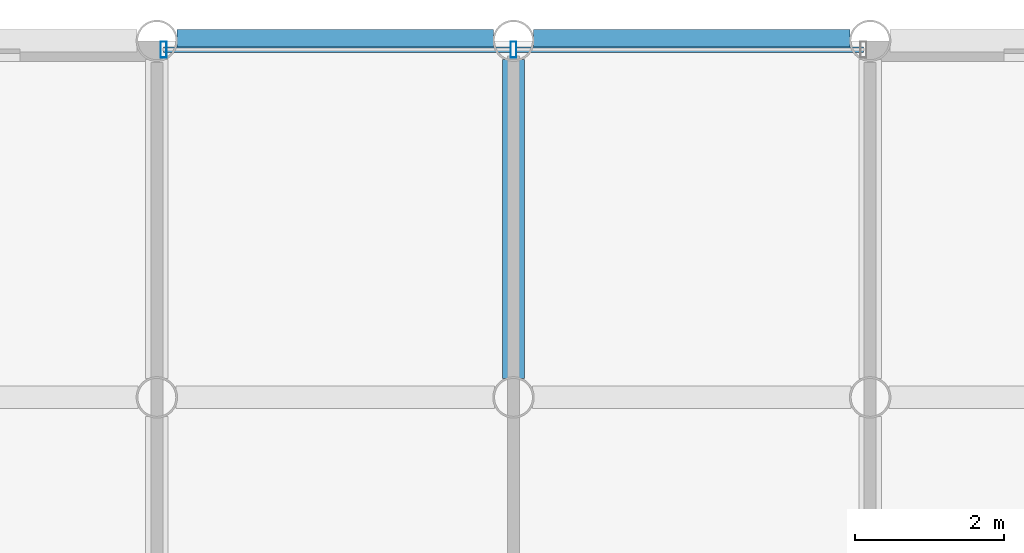
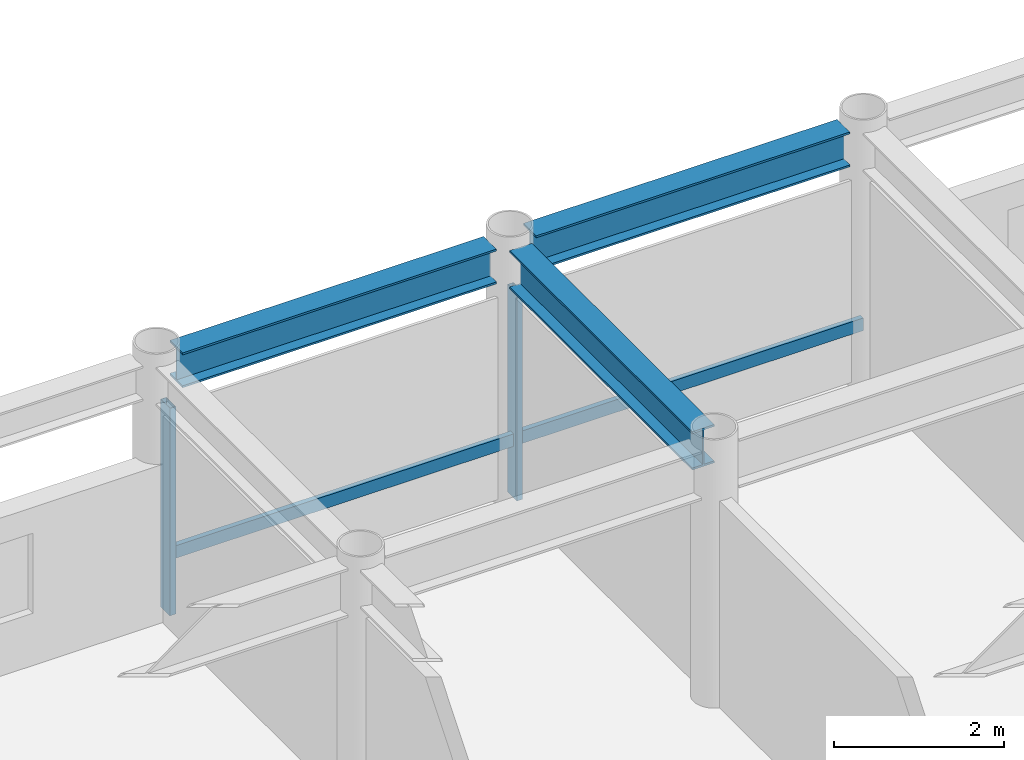
# One storey, part 14 of 24: 4 members, 3 beams, 1 element without a shape of its own.
"""IFC4 building model written with IfcOpenShell, lengths in metres."""

from ifc_helpers import new_model, si_unit, direction, frame, origin, origin_2d, place, context, subcontext, project, spatial, hollow_rectangle, i_section, extrude, material, layer, layer_set, material_profile, profile_set, type_object, element, aggregate, save


model = new_model("IFC4")

# Units and contexts
model_context = context("Model", 3, precision=1e-05, world=origin(), true_north=direction((0.0, 1.0)))
body_context = subcontext(model_context, "Body", "Model", "MODEL_VIEW")
ifc_project = project(units=[si_unit("LENGTHUNIT", "METRE"), si_unit("AREAUNIT", "SQUARE_METRE"), si_unit("VOLUMEUNIT", "CUBIC_METRE"), si_unit("PLANEANGLEUNIT", "RADIAN"), si_unit("MASSUNIT", "GRAM", prefix="KILO")], contexts=[model_context])

# Site, building, storey
site_placement = place(None, origin())
site = spatial("IfcSite", under=ifc_project, at=site_placement, CompositionType="ELEMENT")
building_placement = place(site_placement, origin())
building = spatial("IfcBuilding", under=site, at=building_placement, Name="Kallvorn Hotel Tower", CompositionType="ELEMENT")
storey_placement = place(building_placement, frame((0.0, 0.0, 233.85009765625)))
storey = spatial("IfcBuildingStorey", under=building, at=storey_placement, Name="L58", CompositionType="ELEMENT", Elevation=233.85009765625)

# Beams
ifc_material_1 = material(Name="Structural steel S355JR", Category="steel")
ifc_material_profile_1 = material_profile(ifc_material_1, i_section(OverallWidth=0.300048828125, OverallDepth=0.5, WebThickness=0.014404296875, FlangeThickness=0.028076171875, at=origin_2d()), Name="HE 500 B")
ifc_profile_set_1 = profile_set([ifc_material_profile_1], Name="Structural steel S355JR")
beam_type_1 = type_object("IfcBeamType", Name="BM_HE500B", PredefinedType="SPANDREL", material=ifc_profile_set_1)
for number, where, z_axis, x_axis, name in (
    (1, (-4.530517578125, 24.0, 3.419921875), (1.0, 0.0, 0.0), (0.0, 1.0, 0.0), "L59 Perimeter Spandrel 167"),
    (2, (0.26953125, 24.0, 3.419921875), (1.0, 0.0, 0.0), (0.0, 1.0, 0.0), "L59 Perimeter Spandrel 168"),
):
    element("IfcBeam", number, at=place(storey_placement, frame(where, z_axis=z_axis, x_axis=x_axis)), inside=storey, type_object=beam_type_1, Name=name, PredefinedType="SPANDREL", context=body_context, shape_type="SweptSolid", body=[
        extrude(i_section(OverallWidth=0.300048828125, OverallDepth=0.5, WebThickness=0.014404296875, FlangeThickness=0.028076171875, at=origin_2d()), origin(), (0.0, 0.0, 1.0), 4.260986328125),
    ])
ifc_material_2 = material(Name="Structural steel S355JR", Category="steel")
ifc_material_profile_2 = material_profile(ifc_material_2, i_section(OverallWidth=0.300048828125, OverallDepth=0.550048828125, WebThickness=0.014892578125, FlangeThickness=0.029052734375, at=origin_2d()), Name="HE 550 B")
ifc_profile_set_2 = profile_set([ifc_material_profile_2], Name="Structural steel S355JR")
beam_type_2 = type_object("IfcBeamType", Name="BM_HE550B", PredefinedType="SPANDREL", material=ifc_profile_set_2)
beam_placement = place(storey_placement, frame((0.0, 19.45458984375, 3.39501953125), z_axis=(0.0, 1.0, 0.0), x_axis=(-1.0, 0.0, 0.0)))
element("IfcBeam", 3, at=beam_placement, inside=storey, type_object=beam_type_2, Name="L59 Primary Y-Girder 112", PredefinedType="SPANDREL", context=body_context, shape_type="SweptSolid", body=[
    extrude(i_section(OverallWidth=0.300048828125, OverallDepth=0.550048828125, WebThickness=0.014892578125, FlangeThickness=0.029052734375, at=origin_2d()), origin(), (0.0, 0.0, 1.0), 4.291015625),
])

# Curtain wall, members
ifc_material_3 = material(Name="Thermally broken black-anodised aluminium AA 6063-T6", Category="aluminium")
ifc_layer = layer(ifc_material_3, 0.22998046875)
ifc_layer_set = layer_set([ifc_layer], Name="CW_SYS_5_HOTEL_HIGH")
curtain_wall_type = type_object("IfcCurtainWallType", Name="CW_SYS_5_HOTEL_HIGH", PredefinedType="USERDEFINED", material=ifc_layer_set)
curtain_wall_placement = place(storey_placement, origin())
curtain_wall = element("IfcCurtainWall", 4, at=curtain_wall_placement, inside=storey, type_object=curtain_wall_type, Name="L58 Dark-Glass Curtain Wall CW-L58-NC", ObjectType="UNITISED CURTAIN WALL", PredefinedType="USERDEFINED")
ifc_material_4 = material(Name="Thermally broken black-anodised aluminium AA 6063-T6", Category="aluminium")
ifc_material_profile_3 = material_profile(ifc_material_4, hollow_rectangle(XDim=0.080078125, YDim=0.219970703125, WallThickness=0.0048828125, at=origin_2d()), Name="MUL 220x80")
ifc_profile_set_3 = profile_set([ifc_material_profile_3], Name="Thermally broken black-anodised aluminium AA 6063-T6")
member_type_1 = type_object("IfcMemberType", Name="CW_MULLION_220x80", PredefinedType="MULLION", material=ifc_profile_set_3)
member_1_placement = place(storey_placement, frame((-4.7099609375, 23.8798828125, 0.02001953125), z_axis=(0.0, 0.0, 1.0), x_axis=(1.0, 0.0, 0.0)))
member_1 = element("IfcMember", 5, at=member_1_placement, type_object=member_type_1, Name="CW-L58-NC Mullion 00", PredefinedType="MULLION", context=body_context, shape_type="SweptSolid", body=[
    extrude(hollow_rectangle(XDim=0.080078125, YDim=0.219970703125, WallThickness=0.0048828125, at=origin_2d()), origin(), (0.0, 0.0, 1.0), 2.97998046875),
])
member_2_placement = place(storey_placement, frame((0.0, 23.8798828125, 0.02001953125), z_axis=(0.0, 0.0, 1.0), x_axis=(1.0, 0.0, 0.0)))
member_2 = element("IfcMember", 6, at=member_2_placement, type_object=member_type_1, Name="CW-L58-NC Mullion 01", PredefinedType="MULLION", context=body_context, shape_type="SweptSolid", body=[
    extrude(hollow_rectangle(XDim=0.080078125, YDim=0.219970703125, WallThickness=0.0048828125, at=origin_2d()), origin(), (0.0, 0.0, 1.0), 2.97998046875),
])
ifc_material_5 = material(Name="Thermally broken black-anodised aluminium AA 6063-T6", Category="aluminium")
ifc_material_profile_4 = material_profile(ifc_material_5, hollow_rectangle(XDim=0.070068359375, YDim=0.179931640625, WallThickness=0.00390625, at=origin_2d()), Name="TRN 180x70")
ifc_profile_set_4 = profile_set([ifc_material_profile_4], Name="Thermally broken black-anodised aluminium AA 6063-T6")
member_type_2 = type_object("IfcMemberType", Name="CW_TRANSOM_180x70", PredefinedType="USERDEFINED", material=ifc_profile_set_4)
member_3_placement = place(storey_placement, frame((-4.7099609375, 23.8798828125, 0.849853515625), z_axis=(1.0, 0.0, 0.0), x_axis=(0.0, 1.0, 0.0)))
member_3 = element("IfcMember", 7, at=member_3_placement, type_object=member_type_2, Name="CW-L58-NC Transom 00M", ObjectType="TRANSOM", PredefinedType="USERDEFINED", context=body_context, shape_type="SweptSolid", body=[
    extrude(hollow_rectangle(XDim=0.070068359375, YDim=0.179931640625, WallThickness=0.00390625, at=origin_2d()), origin(), (0.0, 0.0, 1.0), 4.669921875),
])
member_4_placement = place(storey_placement, frame((0.0400390625, 23.8798828125, 0.849853515625), z_axis=(1.0, 0.0, 0.0), x_axis=(0.0, 1.0, 0.0)))
member_4 = element("IfcMember", 8, at=member_4_placement, type_object=member_type_2, Name="CW-L58-NC Transom 01M", ObjectType="TRANSOM", PredefinedType="USERDEFINED", context=body_context, shape_type="SweptSolid", body=[
    extrude(hollow_rectangle(XDim=0.070068359375, YDim=0.179931640625, WallThickness=0.00390625, at=origin_2d()), origin(), (0.0, 0.0, 1.0), 4.669921875),
])
aggregate(curtain_wall, [member_1, member_2, member_3, member_4])

save(model, "model.ifc")
